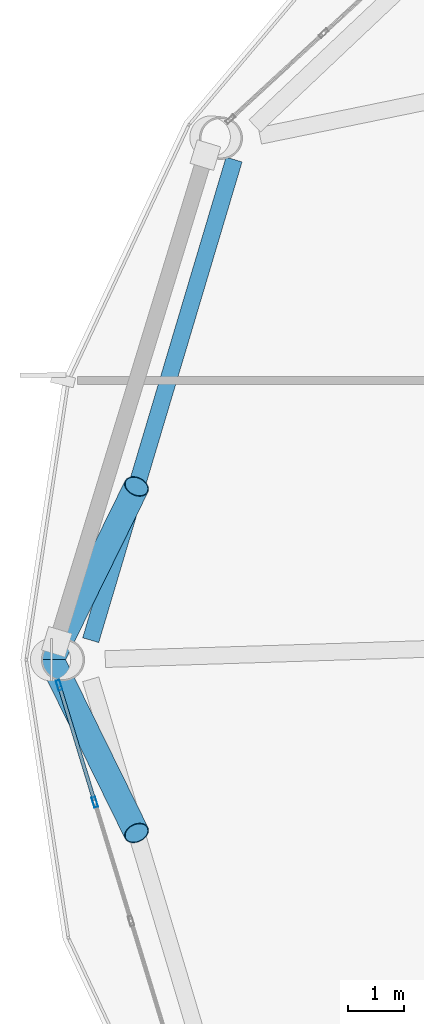
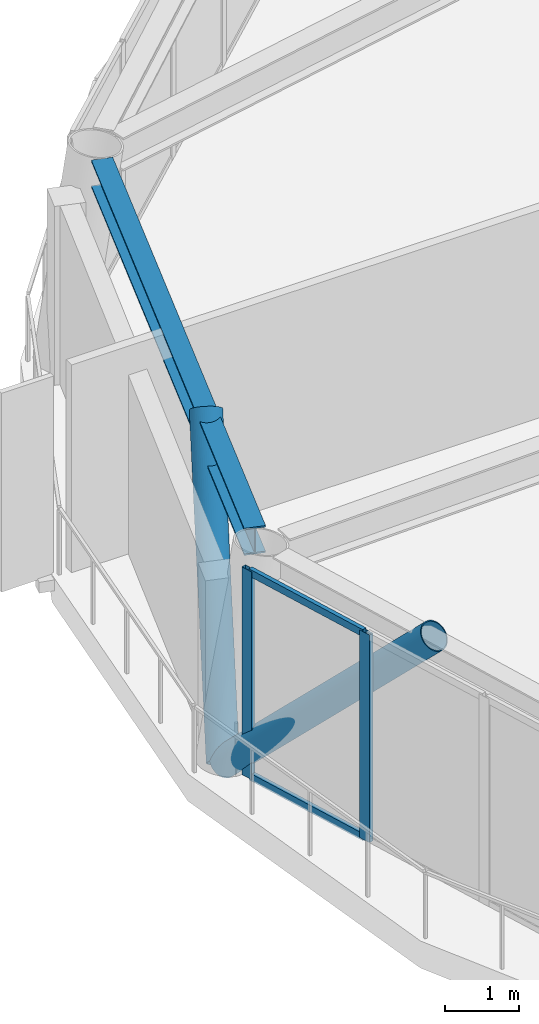
# One storey, part 10 of 26: 6 members, 1 beam, 1 element without a shape of its own.
"""IFC4 building model written with IfcOpenShell, lengths in metres."""

from ifc_helpers import new_model, si_unit, direction, frame, origin, origin_2d, place, context, subcontext, project, spatial, hollow_rectangle, hollow_circle, i_section, extrude, material, layer, layer_set, material_profile, profile_set, type_object, element, aggregate, save


model = new_model("IFC4")

# Units and contexts
model_context = context("Model", 3, precision=1e-05, world=origin(), true_north=direction((0.0, 1.0)))
body_context = subcontext(model_context, "Body", "Model", "MODEL_VIEW")
ifc_project = project(units=[si_unit("LENGTHUNIT", "METRE"), si_unit("AREAUNIT", "SQUARE_METRE"), si_unit("VOLUMEUNIT", "CUBIC_METRE"), si_unit("PLANEANGLEUNIT", "RADIAN"), si_unit("MASSUNIT", "GRAM", prefix="KILO")], contexts=[model_context])

# Site, building, storey
site_placement = place(None, origin())
site = spatial("IfcSite", under=ifc_project, at=site_placement, CompositionType="ELEMENT")
building_placement = place(site_placement, origin())
building = spatial("IfcBuilding", under=site, at=building_placement, Name="Varnakorn Sky Granary", CompositionType="ELEMENT")
storey_placement = place(building_placement, frame((0.0, 0.0, 169.5)))
storey = spatial("IfcBuildingStorey", under=building, at=storey_placement, Name="L42", CompositionType="ELEMENT", Elevation=169.5)

# Beam
ifc_material_1 = material(Name="Steel S355JR", Category="steel")
ifc_material_profile_1 = material_profile(ifc_material_1, i_section(OverallWidth=0.300048828125, OverallDepth=0.449951171875, WebThickness=0.013916015625, FlangeThickness=0.02587890625, at=origin_2d()), Name="HE 450 B")
ifc_profile_set_1 = profile_set([ifc_material_profile_1], Name="Steel S355JR")
beam_type = type_object("IfcBeamType", Name="BM-SPD-Z3", PredefinedType="SPANDREL", material=ifc_profile_set_1)
beam_placement = place(storey_placement, frame((-18.67822265625, 8.956787109375, 3.22509765625), z_axis=(-0.285843662049, -0.95827626542, 0.0), x_axis=(0.95827626542, -0.285843662049, 0.0)))
element("IfcBeam", 1, at=beam_placement, inside=storey, type_object=beam_type, Name="Perimeter Spandrel Ring Beam RB06 L42", PredefinedType="SPANDREL", context=body_context, shape_type="SweptSolid", body=[
    extrude(i_section(OverallWidth=0.300048828125, OverallDepth=0.449951171875, WebThickness=0.013916015625, FlangeThickness=0.02587890625, at=origin_2d()), origin(), (0.0, 0.0, 1.0), 8.98095703125),
])

# Curtain wall, members
ifc_material_2 = material(Name="Anodised Bronze Aluminium Alloy 6063-T6", Category="aluminium")
ifc_layer = layer(ifc_material_2, 0.179931640625, Name="Anodised Bronze Aluminium Alloy 6063-T6")
ifc_layer_set = layer_set([ifc_layer], Name="Anodised Bronze Aluminium Alloy 6063-T6")
curtain_wall_type = type_object("IfcCurtainWallType", Name="CW-FRM-2", PredefinedType="USERDEFINED", material=ifc_layer_set)
curtain_wall_placement = place(storey_placement, origin())
curtain_wall = element("IfcCurtainWall", 2, at=curtain_wall_placement, inside=storey, type_object=curtain_wall_type, Name="Unitised Curtain Wall CW4 CW-L42-B07", ObjectType="CURTAIN WALL", PredefinedType="USERDEFINED")
ifc_material_profile_2 = material_profile(ifc_material_2, hollow_rectangle(XDim=0.070068359375, YDim=0.18505859375, WallThickness=0.00390625, at=origin_2d()), Name="ALU MULL 70x185")
ifc_profile_set_2 = profile_set([ifc_material_profile_2], Name="Anodised Bronze Aluminium Alloy 6063-T6")
member_type_1 = type_object("IfcMemberType", Name="CW-FRM-2-MULL", PredefinedType="MULLION", material=ifc_profile_set_2)
member_1_placement = place(storey_placement, frame((-21.17138671875, -2.55029296875, 0.0), z_axis=(0.0, 0.0, 1.0), x_axis=(-0.956425926656, -0.291975079108, 0.0)))
member_1 = element("IfcMember", 3, at=member_1_placement, type_object=member_type_1, Name="CW4 mullion 4", PredefinedType="MULLION", context=body_context, shape_type="SweptSolid", body=[
    extrude(hollow_rectangle(XDim=0.070068359375, YDim=0.18505859375, WallThickness=0.00390625, at=origin_2d()), origin(), (0.0, 0.0, 1.0), 3.449951171875),
])
member_2_placement = place(storey_placement, frame((-21.81103515625, -0.455322265625, 0.0), z_axis=(0.0, 0.0, 1.0), x_axis=(-0.956425926656, -0.291975079108, 0.0)))
member_2 = element("IfcMember", 4, at=member_2_placement, type_object=member_type_1, Name="CW4 mullion 5", PredefinedType="MULLION", context=body_context, shape_type="SweptSolid", body=[
    extrude(hollow_rectangle(XDim=0.070068359375, YDim=0.18505859375, WallThickness=0.00390625, at=origin_2d()), origin(), (0.0, 0.0, 1.0), 3.449951171875),
])
ifc_material_profile_3 = material_profile(ifc_material_2, hollow_rectangle(XDim=0.06494140625, YDim=0.1201171875, WallThickness=0.00341796875, at=origin_2d()), Name="ALU TRAN 65x120")
ifc_profile_set_3 = profile_set([ifc_material_profile_3], Name="Anodised Bronze Aluminium Alloy 6063-T6")
member_type_2 = type_object("IfcMemberType", Name="CW-FRM-2-TRAN", PredefinedType="USERDEFINED", material=ifc_profile_set_3)
member_3_placement = place(storey_placement, frame((-21.181640625, -2.516845703125, 0.032470703125), z_axis=(-0.291981594535, 0.95642393762, 0.0), x_axis=(-0.95642393762, -0.291981594535, 0.0)))
member_3 = element("IfcMember", 5, at=member_3_placement, type_object=member_type_2, Name="CW4 transom 4.1", ObjectType="TRANSOM", PredefinedType="USERDEFINED", context=body_context, shape_type="SweptSolid", body=[
    extrude(hollow_rectangle(XDim=0.06494140625, YDim=0.1201171875, WallThickness=0.00341796875, at=origin_2d()), origin(), (0.0, 0.0, 1.0), 2.120361328125),
])
member_4_placement = place(storey_placement, frame((-21.181640625, -2.516845703125, 3.41748046875), z_axis=(-0.291981594535, 0.95642393762, 0.0), x_axis=(-0.95642393762, -0.291981594535, 0.0)))
member_4 = element("IfcMember", 6, at=member_4_placement, type_object=member_type_2, Name="CW4 transom 4.2", ObjectType="TRANSOM", PredefinedType="USERDEFINED", context=body_context, shape_type="SweptSolid", body=[
    extrude(hollow_rectangle(XDim=0.06494140625, YDim=0.1201171875, WallThickness=0.00341796875, at=origin_2d()), origin(), (0.0, 0.0, 1.0), 2.120361328125),
])
aggregate(curtain_wall, [member_1, member_2, member_3, member_4])

# Members
ifc_material_3 = material(Name="Steel S460M", Category="steel")
ifc_material_profile_4 = material_profile(ifc_material_3, hollow_circle(Radius=0.228515625, WallThickness=0.01611328125, at=origin_2d()), Name="CHS 457x16")
ifc_profile_set_4 = profile_set([ifc_material_profile_4], Name="Steel S460M")
member_type_3 = type_object("IfcMemberType", Name="MB-DIAG-T3", PredefinedType="BRACE", material=ifc_profile_set_4)
for number, where, z_axis, x_axis, name in (
    (7, (-21.949951171875, 0.0, 0.0), (0.312315713849, 0.635228567796, 0.706359371382), (-0.897401306778, 0.441215247462, 0.0), "Perimeter CHS Diagrid Brace DG06 L42"),
    (8, (-21.949951171875, 0.0, 0.0), (0.312315713849, -0.635228567796, 0.706359371382), (0.897401306778, 0.441215247462, 0.0), "Perimeter CHS Diagrid Brace DG07 L42"),
):
    element("IfcMember", number, at=place(storey_placement, frame(where, z_axis=z_axis, x_axis=x_axis)), inside=storey, type_object=member_type_3, Name=name, PredefinedType="BRACE", context=body_context, shape_type="SweptSolid", body=[
        extrude(hollow_circle(Radius=0.228515625, WallThickness=0.01611328125, at=origin_2d()), origin(), (0.0, 0.0, 1.0), 4.884033203125),
    ])

save(model, "model.ifc")
